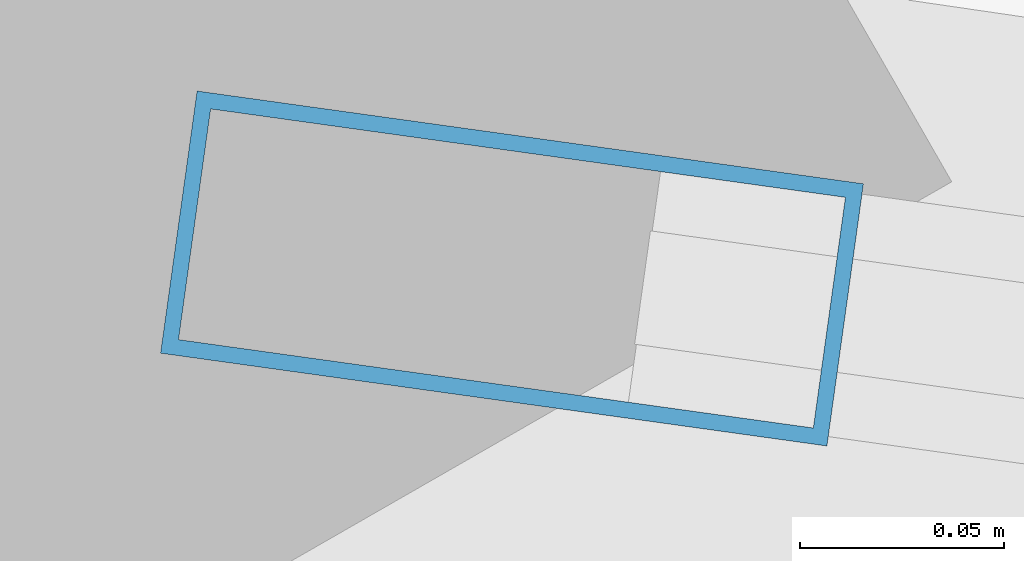
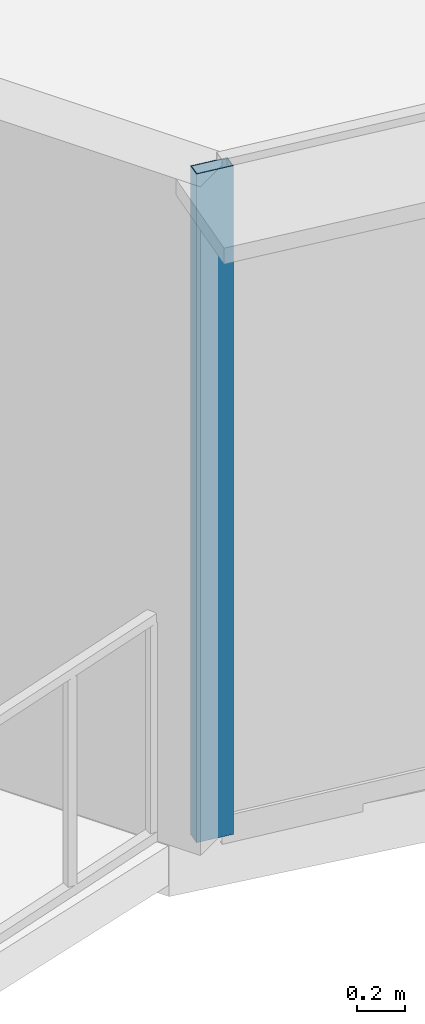
# One storey, part 2 of 37: 1 member, 1 element without a shape of its own.
"""IFC4 building model written with IfcOpenShell, lengths in metres."""

from ifc_helpers import new_model, si_unit, direction, frame, origin, origin_2d, place, context, subcontext, project, spatial, hollow_rectangle, extrude, source, transform, mapped, material, layer, layer_set, material_profile, profile_set, type_object, element, aggregate, save


model = new_model("IFC4")

# Units and contexts
model_context = context("Model", 3, precision=1e-05, world=origin(), true_north=direction((0.0, 1.0)))
body_context = subcontext(model_context, "Body", "Model", "MODEL_VIEW")
ifc_project = project(units=[si_unit("LENGTHUNIT", "METRE"), si_unit("AREAUNIT", "SQUARE_METRE"), si_unit("VOLUMEUNIT", "CUBIC_METRE"), si_unit("PLANEANGLEUNIT", "RADIAN"), si_unit("MASSUNIT", "GRAM", prefix="KILO"), si_unit("THERMODYNAMICTEMPERATUREUNIT", "KELVIN"), si_unit("POWERUNIT", "WATT")], contexts=[model_context])

# Site, building, storey
site_placement = place(None, origin())
site = spatial("IfcSite", under=ifc_project, at=site_placement, CompositionType="ELEMENT")
building_placement = place(site_placement, origin())
building = spatial("IfcBuilding", under=site, at=building_placement, Name="Yunzhuo Pagoda Commons", CompositionType="ELEMENT")
storey_placement = place(building_placement, frame((0.0, 0.0, 55.81005859375)))
storey = spatial("IfcBuildingStorey", under=building, at=storey_placement, Name="L14", CompositionType="ELEMENT", Elevation=55.81005859375)

# Curtain wall, member
ifc_material = material(Name="Anodized aluminium 6063-T6", Category="aluminium")
ifc_layer = layer(ifc_material, 0.1650390625)
ifc_layer_set = layer_set([ifc_layer], Name="Anodized aluminium 6063-T6")
curtain_wall_type = type_object("IfcCurtainWallType", Name="CW-LOW Low-Zone Ribbon Curtain Wall", PredefinedType="NOTDEFINED", material=ifc_layer_set)
curtain_wall_placement = place(storey_placement, origin())
curtain_wall = element("IfcCurtainWall", 1, at=curtain_wall_placement, inside=storey, type_object=curtain_wall_type, Name="L14 curtain wall CW-L14-F1B1", PredefinedType="NOTDEFINED")
ifc_material_profile = material_profile(ifc_material, hollow_rectangle(XDim=0.06494140625, YDim=0.1650390625, WallThickness=0.00390625, at=origin_2d()), Name="Anodized aluminium 6063-T6")
ifc_profile_set = profile_set([ifc_material_profile], Name="Anodized aluminium 6063-T6")
member_type = type_object("IfcMemberType", Name="CW-LOW-M Mullion RHS 165x65x4", PredefinedType="MULLION", material=ifc_profile_set)
shared_shape = source(origin(), body_context, "Body", "SweptSolid", [
    extrude(hollow_rectangle(XDim=0.06494140625, YDim=0.1650390625, WallThickness=0.00390625, at=origin_2d()), origin(), (0.0, 0.0, 1.0), 3.369873046875),
])
member_placement = place(storey_placement, frame((9.821044921875, 14.542236328125, 0.0), z_axis=(0.0, 0.0, 1.0), x_axis=(0.13790498569, 0.990445462871, 0.0)))
member = element("IfcMember", 2, at=member_placement, type_object=member_type, Name="CW mullion 1", PredefinedType="MULLION", context=body_context, shape_type="MappedRepresentation", body=[
    mapped(shared_shape, transform((0.0, 0.0, 0.0), scale=1.0)),
])
aggregate(curtain_wall, [member])

save(model, "model.ifc")
